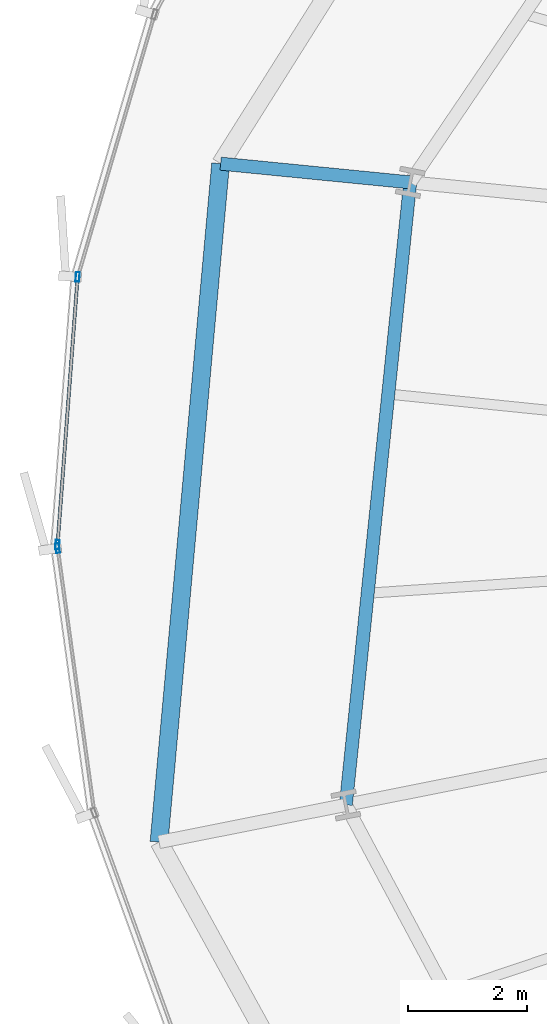
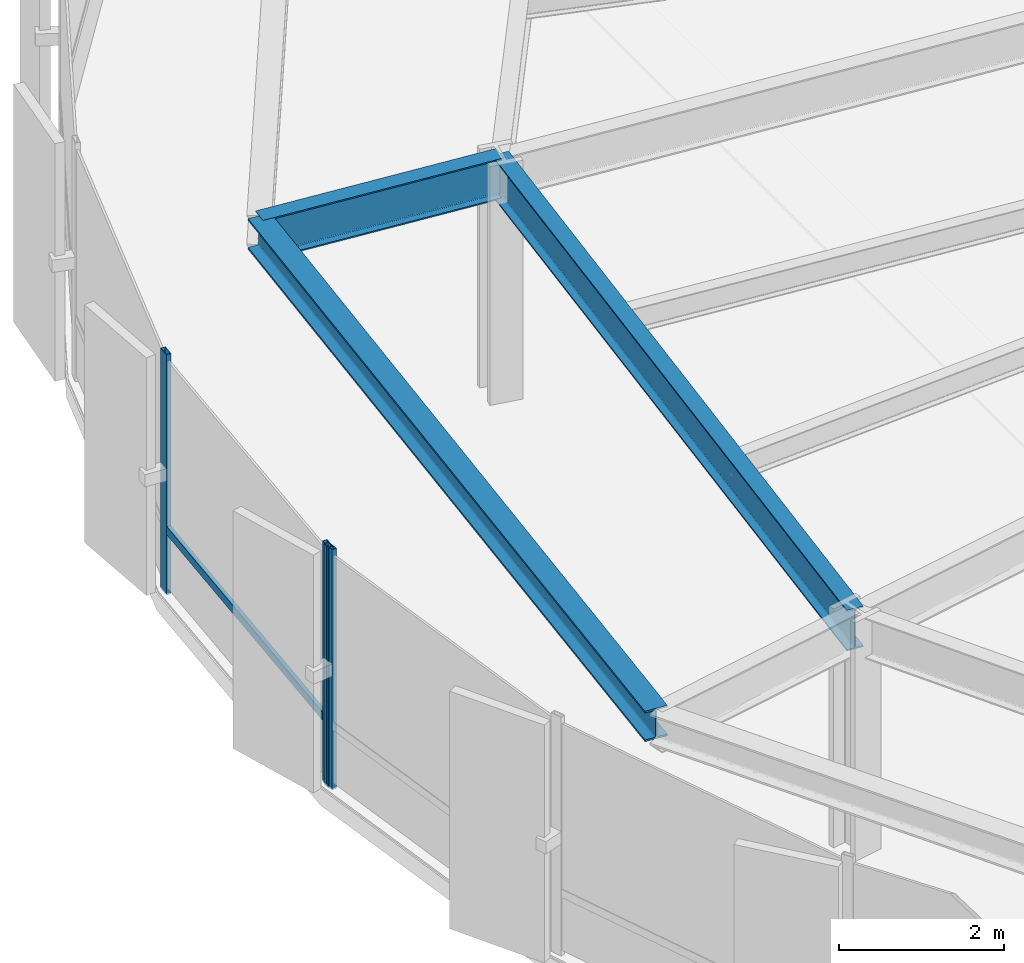
# One storey, part 9 of 42: 4 members, 3 beams, 2 elements without a shape of their own.
"""IFC4 building model written with IfcOpenShell, lengths in metres."""

from ifc_helpers import new_model, si_unit, direction, frame, origin, origin_2d, place, context, subcontext, project, spatial, hollow_rectangle, i_section, extrude, source, transform, mapped, material, layer, layer_set, material_profile, profile_set, type_object, element, aggregate, save


model = new_model("IFC4")

# Units and contexts
model_context = context("Model", 3, precision=1e-05, world=origin(), true_north=direction((0.0, 1.0)))
body_context = subcontext(model_context, "Body", "Model", "MODEL_VIEW")
ifc_project = project(units=[si_unit("LENGTHUNIT", "METRE"), si_unit("AREAUNIT", "SQUARE_METRE"), si_unit("VOLUMEUNIT", "CUBIC_METRE"), si_unit("PLANEANGLEUNIT", "RADIAN"), si_unit("MASSUNIT", "GRAM", prefix="KILO"), si_unit("THERMODYNAMICTEMPERATUREUNIT", "KELVIN")], contexts=[model_context])

# Site, building, storey
site_placement = place(None, origin())
site = spatial("IfcSite", under=ifc_project, at=site_placement, CompositionType="ELEMENT")
building_placement = place(site_placement, origin())
building = spatial("IfcBuilding", under=site, at=building_placement, Name="Kethvar Cultural Tower", CompositionType="ELEMENT")
storey_placement = place(building_placement, frame((0.0, 0.0, 37.199951171875)))
storey = spatial("IfcBuildingStorey", under=building, at=storey_placement, Name="L08", CompositionType="ELEMENT", Elevation=37.199951171875)

# Beams
ifc_material_1 = material(Name="Steel S355J2", Category="steel")
ifc_material_profile_1 = material_profile(ifc_material_1, i_section(OverallWidth=0.219970703125, OverallDepth=0.60009765625, WebThickness=0.011962890625, FlangeThickness=0.01904296875, FilletRadius=0.02392578125, at=origin_2d()), Name="Steel S355J2 — IPE600")
ifc_profile_set_1 = profile_set([ifc_material_profile_1], Name="Steel S355J2 — IPE600")
beam_type_1 = type_object("IfcBeamType", Name="BM-IPE600", PredefinedType="BEAM", material=ifc_profile_set_1)
shared_shape_1 = source(origin(), body_context, "Body", "SweptSolid", [
    extrude(i_section(OverallWidth=0.219970703125, OverallDepth=0.60009765625, WebThickness=0.011962890625, FlangeThickness=0.01904296875, FilletRadius=0.02392578125, at=origin_2d()), origin(), (0.0, 0.0, 1.0), 3.199951171875),
])
beam_1_placement = place(storey_placement, frame((21.047119140625, 32.922607421875, 3.248046875), z_axis=(-0.995167757846, 0.098189275096, 0.0), x_axis=(-0.098189275096, -0.995167757846, 0.0)))
element("IfcBeam", 1, at=beam_1_placement, inside=storey, type_object=beam_type_1, Name="L08 Perimeter Cantilever Beam RC-08", PredefinedType="BEAM", context=body_context, shape_type="MappedRepresentation", body=[
    mapped(shared_shape_1, transform((0.0, 0.0, 0.0), scale=1.0)),
])
shared_shape_2 = source(origin(), body_context, "Body", "SweptSolid", [
    extrude(i_section(OverallWidth=0.219970703125, OverallDepth=0.60009765625, WebThickness=0.011962890625, FlangeThickness=0.01904296875, FilletRadius=0.02392578125, at=origin_2d()), origin(), (0.0, 0.0, 1.0), 10.515869140625),
])
beam_2_placement = place(storey_placement, frame((21.047119140625, 32.922607421875, 3.248046875), z_axis=(-0.102824694973, -0.994699493367, 0.0), x_axis=(0.994699493367, -0.102824694973, 0.0)))
element("IfcBeam", 2, at=beam_2_placement, inside=storey, type_object=beam_type_1, Name="L08 Column Ring Tie Beam CR-08", PredefinedType="BEAM", context=body_context, shape_type="MappedRepresentation", body=[
    mapped(shared_shape_2, transform((0.0, 0.0, 0.0), scale=1.0)),
])
ifc_material_profile_2 = material_profile(ifc_material_1, i_section(OverallWidth=0.300048828125, OverallDepth=0.449951171875, WebThickness=0.013916015625, FlangeThickness=0.02587890625, FilletRadius=0.027099609375, at=origin_2d()), Name="Steel S355J2 — HEB450")
ifc_profile_set_2 = profile_set([ifc_material_profile_2], Name="Steel S355J2 — HEB450")
beam_type_2 = type_object("IfcBeamType", Name="BM-SP450", PredefinedType="SPANDREL", material=ifc_profile_set_2)
shared_shape_3 = source(origin(), body_context, "Body", "SweptSolid", [
    extrude(i_section(OverallWidth=0.300048828125, OverallDepth=0.449951171875, WebThickness=0.013916015625, FlangeThickness=0.02587890625, FilletRadius=0.027099609375, at=origin_2d()), origin(), (0.0, 0.0, 1.0), 11.445556640625),
])
beam_3_placement = place(storey_placement, frame((17.862548828125, 33.23681640625, 3.322998046875), z_axis=(-0.090441506594, -0.995901769195, 0.0), x_axis=(0.995901769195, -0.090441506594, 0.0)))
element("IfcBeam", 3, at=beam_3_placement, inside=storey, type_object=beam_type_2, Name="L08 Perimeter Spandrel Beam SP-08", PredefinedType="SPANDREL", context=body_context, shape_type="MappedRepresentation", body=[
    mapped(shared_shape_3, transform((0.0, 0.0, 0.0), scale=1.0)),
])

# Curtain wall, members
ifc_material_2 = material(Name="Aluminium 6063-T6", Category="aluminium")
ifc_layer = layer(ifc_material_2, 0.179931640625, Name="Aluminium 6063-T6", Category="aluminium")
ifc_layer_set = layer_set([ifc_layer], Name="Aluminium 6063-T6 (180 mm)")
curtain_wall_type = type_object("IfcCurtainWallType", Name="CW-SYS-02-Z1", PredefinedType="NOTDEFINED", material=ifc_layer_set)
curtain_wall_1_placement = place(storey_placement, origin())
curtain_wall_1 = element("IfcCurtainWall", 4, at=curtain_wall_1_placement, inside=storey, type_object=curtain_wall_type, Name="L08 Curtain Wall Run 03", PredefinedType="NOTDEFINED")
ifc_material_profile_3 = material_profile(ifc_material_2, hollow_rectangle(XDim=0.06494140625, YDim=0.159912109375, WallThickness=0.0048828125, at=origin_2d()), Name="Aluminium 6063-T6 — RHS160x65x5")
ifc_profile_set_3 = profile_set([ifc_material_profile_3], Name="Aluminium 6063-T6 — RHS160x65x5")
member_type_1 = type_object("IfcMemberType", Name="CW-SYS-02-Z1-MUL", PredefinedType="MULLION", material=ifc_profile_set_3)
shared_shape_4 = source(origin(), body_context, "Body", "SweptSolid", [
    extrude(hollow_rectangle(XDim=0.06494140625, YDim=0.159912109375, WallThickness=0.0048828125, at=origin_2d()), origin(), (0.0, 0.0, 1.0), 3.550048828125),
])
member_1_placement = place(storey_placement, frame((15.459716796875, 31.333740234375, 0.0), z_axis=(0.0, 0.0, 1.0), x_axis=(0.997196898854, -0.074822088427, 0.0)))
member_1 = element("IfcMember", 5, at=member_1_placement, type_object=member_type_1, Name="CW-L08-R03 Mullion 6", PredefinedType="MULLION", context=body_context, shape_type="MappedRepresentation", body=[
    mapped(shared_shape_4, transform((0.0, 0.0, 0.0), scale=1.0)),
])
member_2_placement = place(storey_placement, frame((15.121826171875, 26.833740234375, 0.0), z_axis=(0.0, 0.0, 1.0), x_axis=(0.997196898854, -0.074822088427, 0.0)))
member_2 = element("IfcMember", 6, at=member_2_placement, type_object=member_type_1, Name="CW-L08-R03 Mullion 7", PredefinedType="MULLION", context=body_context, shape_type="MappedRepresentation", body=[
    mapped(shared_shape_4, transform((0.0, 0.0, 0.0), scale=1.0)),
])

# Curtain wall, member
curtain_wall_2_placement = place(storey_placement, origin())
curtain_wall_2 = element("IfcCurtainWall", 7, at=curtain_wall_2_placement, inside=storey, type_object=curtain_wall_type, Name="L08 Curtain Wall Run 04", PredefinedType="NOTDEFINED")
member_3_placement = place(storey_placement, frame((15.123779296875, 26.775146484375, 0.0), z_axis=(0.0, 0.0, 1.0), x_axis=(0.990528644462, 0.137306243487, 0.0)))
member_3 = element("IfcMember", 8, at=member_3_placement, type_object=member_type_1, Name="CW-L08-R04 Mullion 1", PredefinedType="MULLION", context=body_context, shape_type="MappedRepresentation", body=[
    mapped(shared_shape_4, transform((0.0, 0.0, 0.0), scale=1.0)),
])
aggregate(curtain_wall_2, [member_3])

# Member
ifc_material_profile_4 = material_profile(ifc_material_2, hollow_rectangle(XDim=0.054931640625, YDim=0.1201171875, WallThickness=0.00390625, at=origin_2d()), Name="Aluminium 6063-T6 — RHS120x55x4")
ifc_profile_set_4 = profile_set([ifc_material_profile_4], Name="Aluminium 6063-T6 — RHS120x55x4")
member_type_2 = type_object("IfcMemberType", Name="CW-SYS-02-Z1-TRN", PredefinedType="USERDEFINED", material=ifc_profile_set_4)
shared_shape_5 = source(origin(), body_context, "Body", "SweptSolid", [
    extrude(hollow_rectangle(XDim=0.054931640625, YDim=0.1201171875, WallThickness=0.00390625, at=origin_2d()), origin(), (0.0, 0.0, 1.0), 4.461181640625),
])
member_4_placement = place(storey_placement, frame((15.4560546875, 31.287109375, 0.949951171875), z_axis=(-0.07480899482, -0.997197881212, 0.0), x_axis=(0.997197881212, -0.07480899482, 0.0)))
member_4 = element("IfcMember", 9, at=member_4_placement, type_object=member_type_2, Name="CW-L08-R03 Transom 6", ObjectType="TRANSOM", PredefinedType="USERDEFINED", context=body_context, shape_type="MappedRepresentation", body=[
    mapped(shared_shape_5, transform((0.0, 0.0, 0.0), scale=1.0)),
])

aggregate(curtain_wall_1, [member_1, member_2, member_4])

save(model, "model.ifc")
